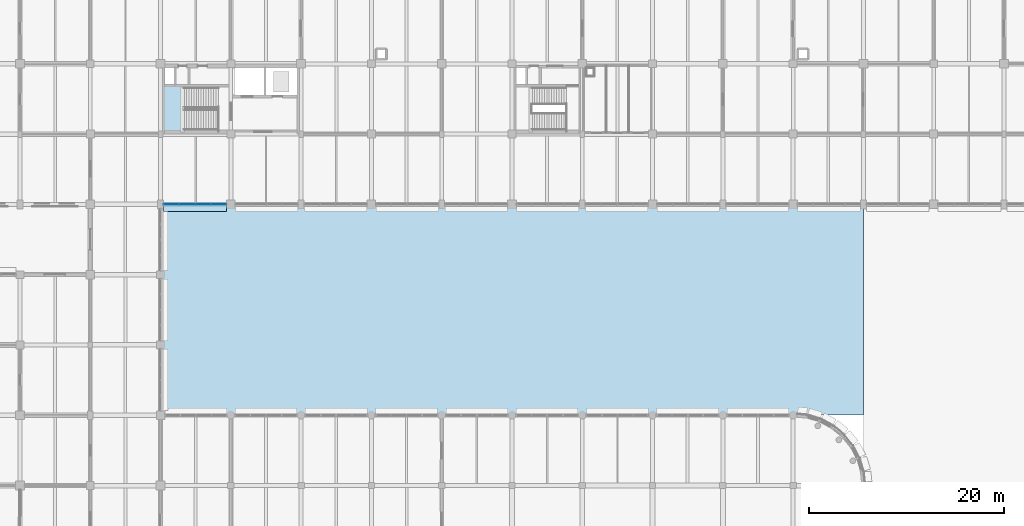
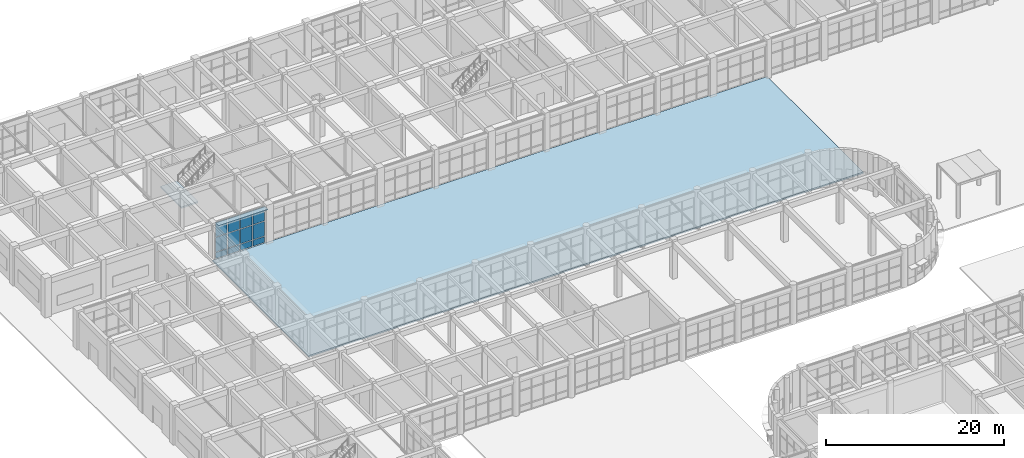
# One storey, part 123 of 160: 13 plates, 2 slabs, 2 elements without a shape of their own.
"""IFC4 building model written with IfcOpenShell, lengths in metres."""

import ifcopenshell
import ifcopenshell.guid

model = None  # the IFC model being written
_history = None  # IfcOwnerHistory: only IFC2X3 demands one
_inside = {}  # id of a spatial element -> (the spatial element, [elements in it])
_under = {}  # id of a project, library or spatial element -> (it, [spatial elements below it])
_declared = {}  # id of a project -> (the project, [libraries it declares])
_typed = {}  # id of a type object -> (the type object, [elements of that type])
_made_of = {}  # id of a material, layer set ... -> (it, [elements and type objects made of it])


def new_model(schema):
    """Start an empty IFC model of exactly this schema.

    Asked for "IFC4X3", IfcOpenShell would pick the latest addendum, in which some entities
    have other attributes; the version numbers below select the first issue.
    IFC2X3 requires an IfcOwnerHistory on every rooted entity: one is made here for all.
    """
    global model, _history
    if schema == "IFC4X3":
        model = ifcopenshell.file(schema_version=(4, 3, 0, 0))
    else:
        model = ifcopenshell.file(schema=schema)
    _inside.clear()
    _under.clear()
    _declared.clear()
    _typed.clear()
    _made_of.clear()
    _history = None
    if model.schema == "IFC2X3":
        org = make("IfcOrganization", Name="unknown")
        user = make(
            "IfcPersonAndOrganization",
            ThePerson=make("IfcPerson", FamilyName="unknown"),
            TheOrganization=org,
        )
        app = make(
            "IfcApplication",
            ApplicationDeveloper=org,
            Version="unknown",
            ApplicationFullName="unknown",
            ApplicationIdentifier="unknown",
        )
        _history = make(
            "IfcOwnerHistory",
            OwningUser=user,
            OwningApplication=app,
            ChangeAction="ADDED",
            CreationDate=0,
        )
    return model


def make(cls, **values):
    """One entity of the class cls with the attributes given. An attribute that is None is left unset."""
    return model.create_entity(
        cls, **{name: value for name, value in values.items() if value is not None}
    )


def rooted(cls, **values):
    """An entity with a GlobalId (a new one), such as an element, a storey or a relation."""
    return make(cls, GlobalId=ifcopenshell.guid.new(), OwnerHistory=_history, **values)


def si_unit(unit_type, name, prefix=None):
    """IfcSIUnit, for example si_unit("LENGTHUNIT", "METRE", prefix="MILLI")."""
    return make("IfcSIUnit", UnitType=unit_type, Prefix=prefix, Name=name)


def assignment(units):
    """IfcUnitAssignment: the units of a project."""
    return None if units is None else make("IfcUnitAssignment", Units=units)


def point(xyz):
    """IfcCartesianPoint."""
    return None if xyz is None else make("IfcCartesianPoint", Coordinates=xyz)


def direction(xyz):
    """IfcDirection."""
    return None if xyz is None else make("IfcDirection", DirectionRatios=xyz)


def frame(location, z_axis=None, x_axis=None):
    """IfcAxis2Placement3D, a coordinate frame: its origin and axes. An axis left out is left unset."""
    return make(
        "IfcAxis2Placement3D",
        Location=point(location),
        Axis=direction(z_axis),
        RefDirection=direction(x_axis),
    )


def frame_2d(location, x_axis=None):
    """IfcAxis2Placement2D, a coordinate frame in the plane: its origin and x axis."""
    return make(
        "IfcAxis2Placement2D", Location=point(location), RefDirection=direction(x_axis)
    )


def origin():
    """The frame at (0, 0, 0) with its axes left unset."""
    return frame((0.0, 0.0, 0.0))


def origin_2d():
    """The frame at (0, 0) in the plane with its x axis left unset."""
    return frame_2d((0.0, 0.0))


def place(relative_to, where):
    """IfcLocalPlacement: puts the frame where relative to a parent placement (None: the world)."""
    return make(
        "IfcLocalPlacement", PlacementRelTo=relative_to, RelativePlacement=where
    )


def context(
    kind, dimensions, precision=None, world=None, true_north=None, identifier=None
):
    """IfcGeometricRepresentationContext, for example the 3D "Model" context."""
    return make(
        "IfcGeometricRepresentationContext",
        ContextIdentifier=identifier,
        ContextType=kind,
        CoordinateSpaceDimension=dimensions,
        Precision=precision,
        WorldCoordinateSystem=world,
        TrueNorth=true_north,
    )


def subcontext(parent, identifier, kind, view, scale=None):
    """IfcGeometricRepresentationSubContext, for example "Body" below "Model"."""
    return make(
        "IfcGeometricRepresentationSubContext",
        ContextIdentifier=identifier,
        ContextType=kind,
        ParentContext=parent,
        TargetScale=scale,
        TargetView=view,
    )


def project(units=None, contexts=None):
    """IfcProject with its units and contexts."""
    return rooted(
        "IfcProject",
        Name="project",
        RepresentationContexts=contexts,
        UnitsInContext=assignment(units),
    )


def spatial(cls, under=None, at=None, **own):
    """A site, building, storey or space (cls), placed at a placement, below another one or the project."""
    s = rooted(cls, ObjectPlacement=at, **own)
    if under is not None:
        _under.setdefault(under.id(), (under, []))[1].append(s)
    return s


def polyline(points):
    """IfcPolyline through the points."""
    return make("IfcPolyline", Points=[point(p) for p in points])


def profile(cls, at=None, kind="AREA", **sizes):
    """A parametric profile (cls). Its sizes go by their IFC names, for example OverallWidth=200.0."""
    return make(cls, ProfileType=kind, Position=at, **sizes)


def rectangle(**sizes):
    """IfcRectangleProfileDef."""
    return profile("IfcRectangleProfileDef", **sizes)


def outline(outer, holes=None, kind="AREA"):
    """IfcArbitraryClosedProfileDef: a profile drawn as a closed curve; with holes, ...WithVoids."""
    if holes is None:
        return make("IfcArbitraryClosedProfileDef", ProfileType=kind, OuterCurve=outer)
    return make(
        "IfcArbitraryProfileDefWithVoids",
        ProfileType=kind,
        OuterCurve=outer,
        InnerCurves=holes,
    )


def extrude(swept, where, along, depth):
    """IfcExtrudedAreaSolid: the profile swept, set in the frame where, extruded along a direction by depth."""
    return make(
        "IfcExtrudedAreaSolid",
        SweptArea=swept,
        Position=where,
        ExtrudedDirection=direction(along),
        Depth=depth,
    )


def shape(context_of_items, identifier, shape_type, items):
    """IfcShapeRepresentation: the items that make up one representation, for example the "Body"."""
    return make(
        "IfcShapeRepresentation",
        ContextOfItems=context_of_items,
        RepresentationIdentifier=identifier,
        RepresentationType=shape_type,
        Items=items,
    )


def material(Name=None, Category=None):
    """IfcMaterial."""
    return make("IfcMaterial", Name=Name, Category=Category)


def layer(
    of_material, thickness, ventilated=None, Name=None, Category=None, Priority=None
):
    """IfcMaterialLayer: one layer of a wall or slab, of a material (None: an air gap)."""
    return make(
        "IfcMaterialLayer",
        Material=of_material,
        LayerThickness=thickness,
        IsVentilated=ventilated,
        Name=Name,
        Category=Category,
        Priority=Priority,
    )


def layer_set(layers, Name=None):
    """IfcMaterialLayerSet."""
    return make("IfcMaterialLayerSet", MaterialLayers=layers, LayerSetName=Name)


def made_of(thing, what):
    """Note that an element or type object is made of a material, layer set ...; save() writes the relation."""
    if what is not None:
        _made_of.setdefault(what.id(), (what, []))[1].append(thing)
    return thing


def type_object(cls, material=None, **own):
    """A type object (cls), such as IfcWallType, which elements share."""
    return made_of(rooted(cls, **own), material)


def element(
    cls,
    number,
    at=None,
    inside=None,
    cuts=None,
    type_object=None,
    material=None,
    context=None,
    identifier="Body",
    shape_type=None,
    held_by="IfcProductDefinitionShape",
    body=None,
    shapes=None,
    **own,
):
    """One element of the class cls, such as IfcWall. Its Tag is "e" and its number.

    at: its placement. inside: the storey or other place that contains it. cuts: it is an
    opening in that element (IfcRelVoidsElement). A single representation is given by context,
    identifier, shape_type and body (its items); several are given by shapes. held_by: the class
    of the entity that holds the representations. save() writes the other relations.
    """
    e = rooted(cls, Tag="e%d" % number, ObjectPlacement=at, **own)
    if body is not None:
        shapes = [shape(context, identifier, shape_type, body)]
    if shapes is not None:
        e.Representation = make(held_by, Representations=shapes)
    if inside is not None:
        _inside.setdefault(inside.id(), (inside, []))[1].append(e)
    if cuts is not None:
        rooted(
            "IfcRelVoidsElement", RelatingBuildingElement=cuts, RelatedOpeningElement=e
        )
    if type_object is not None:
        _typed.setdefault(type_object.id(), (type_object, []))[1].append(e)
    return made_of(e, material)


def aggregate(whole, parts):
    """IfcRelAggregates: a whole, such as a stair, and the parts it consists of."""
    return rooted("IfcRelAggregates", RelatingObject=whole, RelatedObjects=parts)


def save(model, path):
    """Write the relations noted so far, then the file.

    IfcRelAggregates (storeys below a building ...), IfcRelContainedInSpatialStructure (elements
    in a storey), IfcRelDefinesByType, IfcRelAssociatesMaterial and IfcRelDeclares: one each for
    every whole, place, type object, material and project.
    """
    for whole, parts in _under.values():
        aggregate(whole, parts)
    for where, things in _inside.values():
        rooted(
            "IfcRelContainedInSpatialStructure",
            RelatedElements=things,
            RelatingStructure=where,
        )
    for kind, things in _typed.values():
        rooted("IfcRelDefinesByType", RelatedObjects=things, RelatingType=kind)
    for what, things in _made_of.values():
        rooted("IfcRelAssociatesMaterial", RelatedObjects=things, RelatingMaterial=what)
    for by, libraries in _declared.values():
        rooted("IfcRelDeclares", RelatingContext=by, RelatedDefinitions=libraries)
    model.write(path)


model = new_model("IFC4")

# Units and contexts
model_context = context("Model", 3, precision=1e-05, world=origin(), true_north=direction((0.0, 1.0)))
body_context = subcontext(model_context, "Body", "Model", "MODEL_VIEW")
ifc_project = project(units=[si_unit("LENGTHUNIT", "METRE"), si_unit("AREAUNIT", "SQUARE_METRE"), si_unit("VOLUMEUNIT", "CUBIC_METRE"), si_unit("PLANEANGLEUNIT", "RADIAN"), si_unit("MASSUNIT", "GRAM", prefix="KILO")], contexts=[model_context])

# Site, building, storey
site_placement = place(None, origin())
site = spatial("IfcSite", under=ifc_project, at=site_placement, CompositionType="ELEMENT")
building_placement = place(site_placement, origin())
building = spatial("IfcBuilding", under=site, at=building_placement, Name="Thalmaran Polytechnic", CompositionType="ELEMENT")
storey_placement = place(building_placement, origin())
storey = spatial("IfcBuildingStorey", under=building, at=storey_placement, Name="L00", CompositionType="ELEMENT", Elevation=0.0)

# Plate
ifc_material_1 = material(Name="Anodised aluminium sun-hood eyebrow", Category="aluminium")
ifc_layer_1 = layer(ifc_material_1, 0.0849609375, Name="Anodised aluminium sun-hood eyebrow")
ifc_layer_set_1 = layer_set([ifc_layer_1], Name="Anodised aluminium sun-hood eyebrow")
plate_type_1 = type_object("IfcPlateType", Name="PT-EB01", PredefinedType="SHEET", material=ifc_layer_set_1)
plate_1_placement = place(storey_placement, frame((25.1298828125, 93.239990234375, 4.987548828125), z_axis=(0.0, 0.0, 1.0), x_axis=(-1.0, 0.0, 0.0)))
element("IfcPlate", 1, at=plate_1_placement, inside=storey, type_object=plate_type_1, Name="Streamline Sun-Hood Eyebrow L00-CW022", PredefinedType="SHEET", context=body_context, shape_type="SweptSolid", body=[
    extrude(rectangle(XDim=6.419921875, YDim=0.760009765625, at=origin_2d()), origin(), (0.0, 0.0, 1.0), 0.0849609375),
])

# Curtain wall, plates
ifc_material_2 = material(Name="Aluminium 6063-T6", Category="aluminium")
curtain_wall_type = type_object("IfcCurtainWallType", Name="CW-UC01", PredefinedType="USERDEFINED", material=ifc_material_2)
curtain_wall_placement = place(storey_placement, origin())
curtain_wall = element("IfcCurtainWall", 2, at=curtain_wall_placement, inside=storey, type_object=curtain_wall_type, Name="Curtain Wall CW-L00-022", ObjectType="UNITISED CURTAIN WALL", PredefinedType="USERDEFINED")
ifc_material_3 = material(Name="Solar-control double low-E glass", Category="glass")
ifc_layer_2 = layer(ifc_material_3, 0.035888671875, Name="Solar-control double low-E glass")
ifc_layer_set_2 = layer_set([ifc_layer_2], Name="Solar-control double low-E glass")
plate_type_2 = type_object("IfcPlateType", Name="PT-GL03", PredefinedType="CURTAIN_PANEL", material=ifc_layer_set_2)
plate_2_placement = place(storey_placement, frame((27.552490234375, 93.60009765625, 1.0), z_axis=(0.0, 0.0, 1.0), x_axis=(-1.0, 0.0, 0.0)))
plate_2 = element("IfcPlate", 3, at=plate_2_placement, type_object=plate_type_2, Name="CW-L00-022 Vision Panel 1-2", PredefinedType="CURTAIN_PANEL", context=body_context, shape_type="SweptSolid", body=[
    extrude(rectangle(XDim=1.514892578125, YDim=0.035888671875, at=origin_2d()), origin(), (0.0, 0.0, 1.0), 1.985107421875),
])
plate_3_placement = place(storey_placement, frame((27.552490234375, 93.60009765625, 3.06494140625), z_axis=(0.0, 0.0, 1.0), x_axis=(-1.0, 0.0, 0.0)))
plate_3 = element("IfcPlate", 4, at=plate_3_placement, type_object=plate_type_2, Name="CW-L00-022 Vision Panel 1-3", PredefinedType="CURTAIN_PANEL", context=body_context, shape_type="SweptSolid", body=[
    extrude(rectangle(XDim=1.514892578125, YDim=0.035888671875, at=origin_2d()), origin(), (0.0, 0.0, 1.0), 1.925048828125),
])
plate_4_placement = place(storey_placement, frame((25.9375, 93.60009765625, 1.0), z_axis=(0.0, 0.0, 1.0), x_axis=(-1.0, 0.0, 0.0)))
plate_4 = element("IfcPlate", 5, at=plate_4_placement, type_object=plate_type_2, Name="CW-L00-022 Vision Panel 2-2", PredefinedType="CURTAIN_PANEL", context=body_context, shape_type="SweptSolid", body=[
    extrude(rectangle(XDim=1.514892578125, YDim=0.035888671875, at=origin_2d()), origin(), (0.0, 0.0, 1.0), 1.985107421875),
])
plate_5_placement = place(storey_placement, frame((25.9375, 93.60009765625, 3.06494140625), z_axis=(0.0, 0.0, 1.0), x_axis=(-1.0, 0.0, 0.0)))
plate_5 = element("IfcPlate", 6, at=plate_5_placement, type_object=plate_type_2, Name="CW-L00-022 Vision Panel 2-3", PredefinedType="CURTAIN_PANEL", context=body_context, shape_type="SweptSolid", body=[
    extrude(rectangle(XDim=1.514892578125, YDim=0.035888671875, at=origin_2d()), origin(), (0.0, 0.0, 1.0), 1.925048828125),
])
plate_6_placement = place(storey_placement, frame((24.322509765625, 93.60009765625, 1.0), z_axis=(0.0, 0.0, 1.0), x_axis=(-1.0, 0.0, 0.0)))
plate_6 = element("IfcPlate", 7, at=plate_6_placement, type_object=plate_type_2, Name="CW-L00-022 Vision Panel 3-2", PredefinedType="CURTAIN_PANEL", context=body_context, shape_type="SweptSolid", body=[
    extrude(rectangle(XDim=1.514892578125, YDim=0.035888671875, at=origin_2d()), origin(), (0.0, 0.0, 1.0), 1.985107421875),
])
plate_7_placement = place(storey_placement, frame((24.322509765625, 93.60009765625, 3.06494140625), z_axis=(0.0, 0.0, 1.0), x_axis=(-1.0, 0.0, 0.0)))
plate_7 = element("IfcPlate", 8, at=plate_7_placement, type_object=plate_type_2, Name="CW-L00-022 Vision Panel 3-3", PredefinedType="CURTAIN_PANEL", context=body_context, shape_type="SweptSolid", body=[
    extrude(rectangle(XDim=1.514892578125, YDim=0.035888671875, at=origin_2d()), origin(), (0.0, 0.0, 1.0), 1.925048828125),
])
plate_8_placement = place(storey_placement, frame((22.70751953125, 93.60009765625, 1.0), z_axis=(0.0, 0.0, 1.0), x_axis=(-1.0, 0.0, 0.0)))
plate_8 = element("IfcPlate", 9, at=plate_8_placement, type_object=plate_type_2, Name="CW-L00-022 Vision Panel 4-2", PredefinedType="CURTAIN_PANEL", context=body_context, shape_type="SweptSolid", body=[
    extrude(rectangle(XDim=1.514892578125, YDim=0.035888671875, at=origin_2d()), origin(), (0.0, 0.0, 1.0), 1.985107421875),
])
plate_9_placement = place(storey_placement, frame((22.70751953125, 93.60009765625, 3.06494140625), z_axis=(0.0, 0.0, 1.0), x_axis=(-1.0, 0.0, 0.0)))
plate_9 = element("IfcPlate", 10, at=plate_9_placement, type_object=plate_type_2, Name="CW-L00-022 Vision Panel 4-3", PredefinedType="CURTAIN_PANEL", context=body_context, shape_type="SweptSolid", body=[
    extrude(rectangle(XDim=1.514892578125, YDim=0.035888671875, at=origin_2d()), origin(), (0.0, 0.0, 1.0), 1.925048828125),
])
ifc_material_4 = material(Name="Insulated anodised aluminium spandrel", Category="aluminium")
ifc_layer_3 = layer(ifc_material_4, 0.06005859375, Name="Insulated anodised aluminium spandrel")
ifc_layer_set_3 = layer_set([ifc_layer_3], Name="Insulated anodised aluminium spandrel")
plate_type_3 = type_object("IfcPlateType", Name="PT-SP02", PredefinedType="CURTAIN_PANEL", material=ifc_layer_set_3)
plate_10_placement = place(storey_placement, frame((27.552490234375, 93.60009765625, 0.10009765625), z_axis=(0.0, 0.0, 1.0), x_axis=(-1.0, 0.0, 0.0)))
plate_10 = element("IfcPlate", 11, at=plate_10_placement, type_object=plate_type_3, Name="CW-L00-022 Spandrel Panel 1-1", PredefinedType="CURTAIN_PANEL", context=body_context, shape_type="SweptSolid", body=[
    extrude(rectangle(XDim=1.514892578125, YDim=0.06005859375, at=origin_2d()), origin(), (0.0, 0.0, 1.0), 0.820068359375),
])
plate_11_placement = place(storey_placement, frame((25.9375, 93.60009765625, 0.10009765625), z_axis=(0.0, 0.0, 1.0), x_axis=(-1.0, 0.0, 0.0)))
plate_11 = element("IfcPlate", 12, at=plate_11_placement, type_object=plate_type_3, Name="CW-L00-022 Spandrel Panel 2-1", PredefinedType="CURTAIN_PANEL", context=body_context, shape_type="SweptSolid", body=[
    extrude(rectangle(XDim=1.514892578125, YDim=0.06005859375, at=origin_2d()), origin(), (0.0, 0.0, 1.0), 0.820068359375),
])
plate_12_placement = place(storey_placement, frame((24.322509765625, 93.60009765625, 0.10009765625), z_axis=(0.0, 0.0, 1.0), x_axis=(-1.0, 0.0, 0.0)))
plate_12 = element("IfcPlate", 13, at=plate_12_placement, type_object=plate_type_3, Name="CW-L00-022 Spandrel Panel 3-1", PredefinedType="CURTAIN_PANEL", context=body_context, shape_type="SweptSolid", body=[
    extrude(rectangle(XDim=1.514892578125, YDim=0.06005859375, at=origin_2d()), origin(), (0.0, 0.0, 1.0), 0.820068359375),
])
plate_13_placement = place(storey_placement, frame((22.70751953125, 93.60009765625, 0.10009765625), z_axis=(0.0, 0.0, 1.0), x_axis=(-1.0, 0.0, 0.0)))
plate_13 = element("IfcPlate", 14, at=plate_13_placement, type_object=plate_type_3, Name="CW-L00-022 Spandrel Panel 4-1", PredefinedType="CURTAIN_PANEL", context=body_context, shape_type="SweptSolid", body=[
    extrude(rectangle(XDim=1.514892578125, YDim=0.06005859375, at=origin_2d()), origin(), (0.0, 0.0, 1.0), 0.820068359375),
])
aggregate(curtain_wall, [plate_10, plate_2, plate_3, plate_11, plate_4, plate_5, plate_12, plate_6, plate_7, plate_13, plate_8, plate_9])

# Stair, slab
ifc_material_5 = material(Name="Concrete C40/50", Category="concrete")
stair_type = type_object("IfcStairType", Name="ST-HT54", PredefinedType="HALF_TURN_STAIR", material=ifc_material_5)
stair_placement = place(storey_placement, origin())
stair = element("IfcStair", 15, at=stair_placement, inside=storey, type_object=stair_type, Name="Exit Stair ST2 L00", PredefinedType="HALF_TURN_STAIR")
ifc_layer_4 = layer(ifc_material_5, 0.2099609375, Name="Concrete C40/50")
ifc_layer_set_4 = layer_set([ifc_layer_4], Name="Concrete C40/50")
slab_type_1 = type_object("IfcSlabType", Name="SL-LD01", PredefinedType="LANDING", material=ifc_layer_set_4)
slab_1_placement = place(storey_placement, frame((0.0, 0.0, 2.489990234375)))
slab_1 = element("IfcSlab", 16, at=slab_1_placement, type_object=slab_type_1, Name="ST2 L00 Half Landing", PredefinedType="LANDING", context=body_context, shape_type="SweptSolid", body=[
    extrude(outline(polyline([(21.840087890625, 101.0400390625), (24.0, 101.0400390625), (24.0, 105.739990234375), (21.840087890625, 105.739990234375), (21.840087890625, 101.0400390625)])), origin(), (0.0, 0.0, 1.0), 0.2099609375),
])
aggregate(stair, [slab_1])

# Slab
ifc_layer_5 = layer(ifc_material_5, 0.199951171875, Name="Concrete C40/50")
ifc_layer_set_5 = layer_set([ifc_layer_5], Name="Concrete C40/50")
slab_type_2 = type_object("IfcSlabType", Name="SL-PV01", PredefinedType="BASESLAB", material=ifc_layer_set_5)
slab_2_placement = place(storey_placement, frame((0.0, 0.0, -0.199951171875)))
element("IfcSlab", 17, at=slab_2_placement, inside=storey, type_object=slab_type_2, Name="External Street Paving COURT-N", PredefinedType="BASESLAB", context=body_context, shape_type="SweptSolid", body=[
    extrude(outline(polyline([(21.60009765625, 72.0), (93.60009765625, 72.0), (93.60009765625, 93.60009765625), (21.60009765625, 93.60009765625), (21.60009765625, 72.0)])), origin(), (0.0, 0.0, 1.0), 0.199951171875),
])

save(model, "model.ifc")
